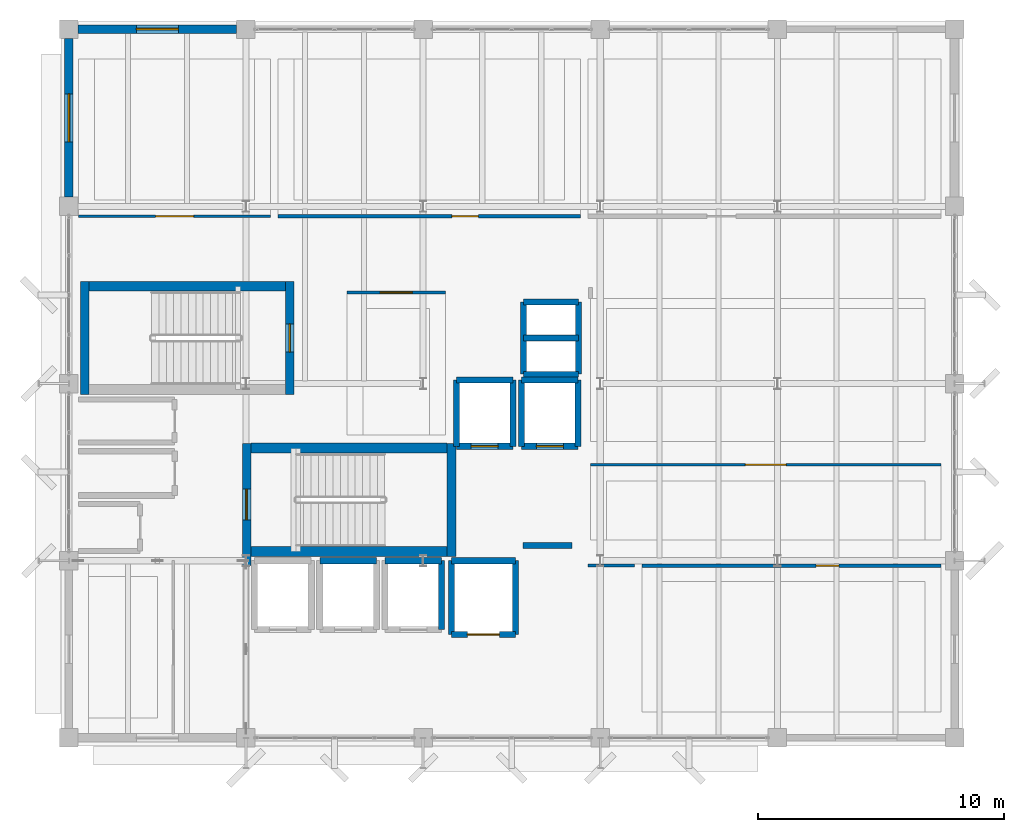
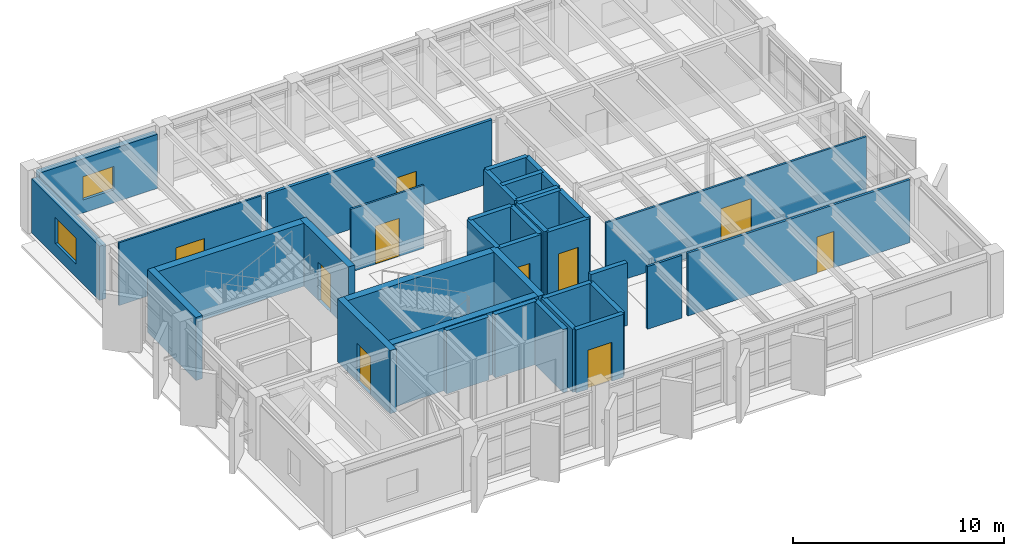
# One storey, part 17 of 24: 36 walls, 10 doors, 2 windows, 12 openings.
"""IFC4 building model written with IfcOpenShell, lengths in metres."""

from ifc_helpers import new_model, si_unit, direction, frame, frame_2d, origin, place, context, subcontext, project, spatial, rectangle, extrude, material, layer, layer_set, type_object, element, fill, save


model = new_model("IFC4")

# Units and contexts
model_context = context("Model", 3, precision=1e-05, world=origin(), true_north=direction((0.0, 1.0)))
body_context = subcontext(model_context, "Body", "Model", "MODEL_VIEW")
ifc_project = project(units=[si_unit("LENGTHUNIT", "METRE"), si_unit("AREAUNIT", "SQUARE_METRE"), si_unit("VOLUMEUNIT", "CUBIC_METRE"), si_unit("PLANEANGLEUNIT", "RADIAN"), si_unit("MASSUNIT", "GRAM", prefix="KILO")], contexts=[model_context])

# Site, building, storey
site_placement = place(None, origin())
site = spatial("IfcSite", under=ifc_project, at=site_placement, CompositionType="ELEMENT")
building_placement = place(site_placement, origin())
building = spatial("IfcBuilding", under=site, at=building_placement, Name="Kandorven Conservatory and Botanical Research Centre", CompositionType="ELEMENT")
storey_placement = place(building_placement, frame((0.0, 0.0, 24.89990234375)))
storey = spatial("IfcBuildingStorey", under=building, at=storey_placement, Name="L06", CompositionType="ELEMENT", Elevation=24.89990234375)

# Walls
ifc_material_1 = material(Name="Concrete C40/50 (M50)", Category="concrete")
ifc_layer_1 = layer(ifc_material_1, 0.39990234375)
ifc_layer_set_1 = layer_set([ifc_layer_1], Name="Concrete C40/50 (M50)")
wall_type_1 = type_object("IfcWallType", Name="Wall_CW-RC-1", PredefinedType="SHEAR", material=ifc_layer_set_1)
for number, where, z_axis, x_axis, name in (
    (1, (13.39990234375, 13.574951171875, 0.0), (0.0, 0.0, 1.0), (1.0, 0.0, 0.0), "Core stair shear wall CW-RC-1 ST-T1 L06 side A"),
    (2, (13.39990234375, 17.77490234375, 0.0), (0.0, 0.0, 1.0), (1.0, 0.0, 0.0), "Core stair shear wall CW-RC-1 ST-T1 L06 side B"),
    (3, (14.800048828125, 24.35498046875, 0.0), (0.0, 0.0, 1.0), (-1.0, 0.0, 0.0), "Core stair shear wall CW-RC-1 ST-T2 L06 side A"),
):
    element("IfcWall", number, at=place(storey_placement, frame(where, z_axis=z_axis, x_axis=x_axis)), inside=storey, type_object=wall_type_1, Name=name, PredefinedType="SHEAR", context=body_context, shape_type="SweptSolid", body=[
        extrude(rectangle(XDim=7.97998046875, YDim=0.39990234375, at=frame_2d((3.989990234375, 0.0))), origin(), (0.0, 0.0, 1.0), 3.650146484375),
    ])

# Wall, opening, door
ifc_material_2 = material(Name="Concrete C40/50 (M50)", Category="concrete")
ifc_layer_2 = layer(ifc_material_2, 0.35009765625)
ifc_layer_set_2 = layer_set([ifc_layer_2], Name="Concrete C40/50 (M50)")
wall_type_2 = type_object("IfcWallType", Name="Wall_CW-RC-2", PredefinedType="SHEAR", material=ifc_layer_set_2)
wall_1_placement = place(storey_placement, frame((13.22509765625, 13.0, 0.0), z_axis=(0.0, 0.0, 1.0), x_axis=(0.0, 1.0, 0.0)))
wall_1 = element("IfcWall", 4, at=wall_1_placement, inside=storey, type_object=wall_type_2, Name="Core stair shear wall CW-RC-2 ST-T1 L06 entry", PredefinedType="SHEAR", context=body_context, shape_type="SweptSolid", body=[
    extrude(rectangle(XDim=4.969970703125, YDim=0.35009765625, at=frame_2d((2.48486328125, 0.0))), origin(), (0.0, 0.0, 1.0), 3.650146484375),
])
opening_1_placement = place(wall_1_placement, frame((1.860107421875, 0.0, 0.0)))
opening_1 = element("IfcOpeningElement", 5, at=opening_1_placement, cuts=wall_1, Name="Opening FD-1", PredefinedType="OPENING", context=body_context, shape_type="SweptSolid", body=[
    extrude(rectangle(XDim=1.25, YDim=2.199951171875, at=frame_2d((0.625, 1.10009765625))), frame((0.0, 0.18505859375, 0.0), z_axis=(0.0, -1.0, 0.0), x_axis=(1.0, 0.0, 0.0)), (0.0, 0.0, 1.0), 0.3701171875),
])
ifc_material_3 = material(Name="Galvanised hollow steel fire door assembly", Category="steel")
door_type_1 = type_object("IfcDoorType", Name="Door_FD-1", OperationType="NOTDEFINED", PredefinedType="DOOR", material=ifc_material_3)
door_1_placement = place(opening_1_placement, origin())
door_1 = element("IfcDoor", 6, at=door_1_placement, inside=storey, type_object=door_type_1, Name="Exit stair fire door FD-1 ST-T1 L06", OperationType="SINGLE_SWING_LEFT", OverallHeight=2.199951171875, OverallWidth=1.25, PredefinedType="DOOR", context=body_context, shape_type="SweptSolid", body=[
    extrude(rectangle(XDim=1.25, YDim=2.199951171875, at=frame_2d((0.625, 1.10009765625))), frame((0.0, 0.02490234375, 0.0), z_axis=(0.0, -1.0, 0.0), x_axis=(1.0, 0.0, 0.0)), (0.0, 0.0, 1.0), 0.050048828125),
])
fill(opening_1, door_1)

# Wall
wall_2_placement = place(storey_placement, frame((21.554931640625, 13.3798828125, 0.0), z_axis=(0.0, 0.0, 1.0), x_axis=(0.0, 1.0, 0.0)))
element("IfcWall", 7, at=wall_2_placement, inside=storey, type_object=wall_type_2, Name="Core stair shear wall CW-RC-2 ST-T1 L06 far", PredefinedType="SHEAR", context=body_context, shape_type="SweptSolid", body=[
    extrude(rectangle(XDim=4.590087890625, YDim=0.35009765625, at=frame_2d((2.294921875, 0.0))), origin(), (0.0, 0.0, 1.0), 3.650146484375),
])

# Wall, opening, door
wall_3_placement = place(storey_placement, frame((14.97509765625, 24.550048828125, 0.0), z_axis=(0.0, 0.0, 1.0), x_axis=(0.0, -1.0, 0.0)))
wall_3 = element("IfcWall", 8, at=wall_3_placement, inside=storey, type_object=wall_type_2, Name="Core stair shear wall CW-RC-2 ST-T2 L06 entry", PredefinedType="SHEAR", context=body_context, shape_type="SweptSolid", body=[
    extrude(rectangle(XDim=4.590087890625, YDim=0.35009765625, at=frame_2d((2.294921875, 0.0))), origin(), (0.0, 0.0, 1.0), 3.650146484375),
])
opening_2_placement = place(wall_3_placement, frame((1.719970703125, 0.0, 0.0)))
opening_2 = element("IfcOpeningElement", 9, at=opening_2_placement, cuts=wall_3, Name="Opening FD-2", PredefinedType="OPENING", context=body_context, shape_type="SweptSolid", body=[
    extrude(rectangle(XDim=1.14990234375, YDim=2.199951171875, at=frame_2d((0.574951171875, 1.10009765625))), frame((0.0, 0.18505859375, 0.0), z_axis=(0.0, -1.0, 0.0), x_axis=(1.0, 0.0, 0.0)), (0.0, 0.0, 1.0), 0.3701171875),
])
ifc_material_4 = material(Name="Galvanised hollow steel fire door assembly", Category="steel")
door_type_2 = type_object("IfcDoorType", Name="Door_FD-2", OperationType="NOTDEFINED", PredefinedType="DOOR", material=ifc_material_4)
door_2_placement = place(opening_2_placement, origin())
door_2 = element("IfcDoor", 10, at=door_2_placement, inside=storey, type_object=door_type_2, Name="Exit stair fire door FD-2 ST-T2 L06", OperationType="SINGLE_SWING_LEFT", OverallHeight=2.199951171875, OverallWidth=1.14990234375, PredefinedType="DOOR", context=body_context, shape_type="SweptSolid", body=[
    extrude(rectangle(XDim=1.14990234375, YDim=2.199951171875, at=frame_2d((0.574951171875, 1.10009765625))), frame((0.0, 0.02490234375, 0.0), z_axis=(0.0, -1.0, 0.0), x_axis=(1.0, 0.0, 0.0)), (0.0, 0.0, 1.0), 0.050048828125),
])
fill(opening_2, door_2)

# Wall
wall_4_placement = place(storey_placement, frame((6.64501953125, 24.550048828125, 0.0), z_axis=(0.0, 0.0, 1.0), x_axis=(0.0, -1.0, 0.0)))
element("IfcWall", 11, at=wall_4_placement, inside=storey, type_object=wall_type_2, Name="Core stair shear wall CW-RC-2 ST-T2 L06 far", PredefinedType="SHEAR", context=body_context, shape_type="SweptSolid", body=[
    extrude(rectangle(XDim=4.590087890625, YDim=0.35009765625, at=frame_2d((2.294921875, 0.0))), origin(), (0.0, 0.0, 1.0), 3.650146484375),
])

# Wall, opening, door
wall_5_placement = place(storey_placement, frame((21.75, 17.85009765625, 0.0), z_axis=(0.0, 0.0, 1.0), x_axis=(1.0, 0.0, 0.0)))
wall_5 = element("IfcWall", 12, at=wall_5_placement, inside=storey, type_object=wall_type_2, Name="Lift shaft wall FFL-1 L06 S", PredefinedType="SHEAR", context=body_context, shape_type="SweptSolid", body=[
    extrude(rectangle(XDim=2.300048828125, YDim=0.25, at=frame_2d((1.14990234375, 0.0))), origin(), (0.0, 0.0, 1.0), 3.650146484375),
])
opening_3_placement = place(wall_5_placement, frame((0.60009765625, 0.0, 0.0)))
opening_3 = element("IfcOpeningElement", 13, at=opening_3_placement, cuts=wall_5, Name="Opening LD-01", PredefinedType="OPENING", context=body_context, shape_type="SweptSolid", body=[
    extrude(rectangle(XDim=1.10009765625, YDim=2.199951171875, at=frame_2d((0.550048828125, 1.10009765625))), frame((0.0, 0.135009765625, 0.0), z_axis=(0.0, -1.0, 0.0), x_axis=(1.0, 0.0, 0.0)), (0.0, 0.0, 1.0), 0.27001953125),
])
ifc_material_5 = material(Name="Anodised aluminium sliding landing door", Category="aluminium")
door_type_3 = type_object("IfcDoorType", Name="Door_LD-01", OperationType="DOUBLE_DOOR_SLIDING", PredefinedType="DOOR", material=ifc_material_5)
door_3_placement = place(opening_3_placement, origin())
door_3 = element("IfcDoor", 14, at=door_3_placement, inside=storey, type_object=door_type_3, Name="Lift landing sliding door LD-01 (FFL-1 L06)", OperationType="DOUBLE_DOOR_SLIDING", OverallHeight=2.199951171875, OverallWidth=1.10009765625, PredefinedType="DOOR", context=body_context, shape_type="SweptSolid", body=[
    extrude(rectangle(XDim=1.10009765625, YDim=2.199951171875, at=frame_2d((0.550048828125, 1.10009765625))), frame((0.0, 0.02490234375, 0.0), z_axis=(0.0, -1.0, 0.0), x_axis=(1.0, 0.0, 0.0)), (0.0, 0.0, 1.0), 0.050048828125),
])
fill(opening_3, door_3)

# Walls
wall_6_placement = place(storey_placement, frame((21.75, 20.550048828125, 0.0), z_axis=(0.0, 0.0, 1.0), x_axis=(1.0, 0.0, 0.0)))
element("IfcWall", 15, at=wall_6_placement, inside=storey, type_object=wall_type_2, Name="Lift shaft wall FFL-1 L06 N", PredefinedType="SHEAR", context=body_context, shape_type="SweptSolid", body=[
    extrude(rectangle(XDim=2.300048828125, YDim=0.25, at=frame_2d((1.14990234375, 0.0))), origin(), (0.0, 0.0, 1.0), 3.650146484375),
])
for number, where, z_axis, x_axis, name in (
    (16, (21.75, 17.85009765625, 0.0), (0.0, 0.0, 1.0), (0.0, 1.0, 0.0), "Lift shaft wall FFL-1 L06 W"),
    (17, (24.050048828125, 17.85009765625, 0.0), (0.0, 0.0, 1.0), (0.0, 1.0, 0.0), "Lift shaft wall FFL-1 L06 E"),
):
    element("IfcWall", number, at=place(storey_placement, frame(where, z_axis=z_axis, x_axis=x_axis)), inside=storey, type_object=wall_type_2, Name=name, PredefinedType="SHEAR", context=body_context, shape_type="SweptSolid", body=[
        extrude(rectangle(XDim=2.699951171875, YDim=0.25, at=frame_2d((1.35009765625, 0.0))), origin(), (0.0, 0.0, 1.0), 3.650146484375),
    ])

# Wall, opening, door
wall_7_placement = place(storey_placement, frame((24.39990234375, 17.85009765625, 0.0), z_axis=(0.0, 0.0, 1.0), x_axis=(1.0, 0.0, 0.0)))
wall_7 = element("IfcWall", 18, at=wall_7_placement, inside=storey, type_object=wall_type_2, Name="Lift shaft wall FFL-2 L06 S", PredefinedType="SHEAR", context=body_context, shape_type="SweptSolid", body=[
    extrude(rectangle(XDim=2.300048828125, YDim=0.25, at=frame_2d((1.14990234375, 0.0))), origin(), (0.0, 0.0, 1.0), 3.650146484375),
])
opening_4_placement = place(wall_7_placement, frame((0.60009765625, 0.0, 0.0)))
opening_4 = element("IfcOpeningElement", 19, at=opening_4_placement, cuts=wall_7, Name="Opening LD-01", PredefinedType="OPENING", context=body_context, shape_type="SweptSolid", body=[
    extrude(rectangle(XDim=1.10009765625, YDim=2.199951171875, at=frame_2d((0.550048828125, 1.10009765625))), frame((0.0, 0.135009765625, 0.0), z_axis=(0.0, -1.0, 0.0), x_axis=(1.0, 0.0, 0.0)), (0.0, 0.0, 1.0), 0.27001953125),
])
door_4_placement = place(opening_4_placement, origin())
door_4 = element("IfcDoor", 20, at=door_4_placement, inside=storey, type_object=door_type_3, Name="Lift landing sliding door LD-01 (FFL-2 L06)", OperationType="DOUBLE_DOOR_SLIDING", OverallHeight=2.199951171875, OverallWidth=1.10009765625, PredefinedType="DOOR", context=body_context, shape_type="SweptSolid", body=[
    extrude(rectangle(XDim=1.10009765625, YDim=2.199951171875, at=frame_2d((0.550048828125, 1.10009765625))), frame((0.0, 0.02490234375, 0.0), z_axis=(0.0, -1.0, 0.0), x_axis=(1.0, 0.0, 0.0)), (0.0, 0.0, 1.0), 0.050048828125),
])
fill(opening_4, door_4)

# Walls
wall_8_placement = place(storey_placement, frame((24.39990234375, 20.550048828125, 0.0), z_axis=(0.0, 0.0, 1.0), x_axis=(1.0, 0.0, 0.0)))
element("IfcWall", 21, at=wall_8_placement, inside=storey, type_object=wall_type_2, Name="Lift shaft wall FFL-2 L06 N", PredefinedType="SHEAR", context=body_context, shape_type="SweptSolid", body=[
    extrude(rectangle(XDim=2.300048828125, YDim=0.25, at=frame_2d((1.14990234375, 0.0))), origin(), (0.0, 0.0, 1.0), 3.650146484375),
])
for number, where, z_axis, x_axis, name in (
    (22, (24.39990234375, 17.85009765625, 0.0), (0.0, 0.0, 1.0), (0.0, 1.0, 0.0), "Lift shaft wall FFL-2 L06 W"),
    (23, (26.699951171875, 17.85009765625, 0.0), (0.0, 0.0, 1.0), (0.0, 1.0, 0.0), "Lift shaft wall FFL-2 L06 E"),
):
    element("IfcWall", number, at=place(storey_placement, frame(where, z_axis=z_axis, x_axis=x_axis)), inside=storey, type_object=wall_type_2, Name=name, PredefinedType="SHEAR", context=body_context, shape_type="SweptSolid", body=[
        extrude(rectangle(XDim=2.699951171875, YDim=0.25, at=frame_2d((1.35009765625, 0.0))), origin(), (0.0, 0.0, 1.0), 3.650146484375),
    ])
wall_9_placement = place(storey_placement, frame((16.199951171875, 13.199951171875, 0.0), z_axis=(0.0, 0.0, 1.0), x_axis=(1.0, 0.0, 0.0)))
element("IfcWall", 24, at=wall_9_placement, inside=storey, type_object=wall_type_2, Name="Lift shaft wall PL-2 L06 N", PredefinedType="SHEAR", context=body_context, shape_type="SweptSolid", body=[
    extrude(rectangle(XDim=2.300048828125, YDim=0.25, at=frame_2d((1.14990234375, 0.0))), origin(), (0.0, 0.0, 1.0), 3.650146484375),
])
wall_10_placement = place(storey_placement, frame((18.85009765625, 13.199951171875, 0.0), z_axis=(0.0, 0.0, 1.0), x_axis=(1.0, 0.0, 0.0)))
element("IfcWall", 25, at=wall_10_placement, inside=storey, type_object=wall_type_2, Name="Lift shaft wall PL-3 L06 N", PredefinedType="SHEAR", context=body_context, shape_type="SweptSolid", body=[
    extrude(rectangle(XDim=2.2998046875, YDim=0.25, at=frame_2d((1.14990234375, 0.0))), origin(), (0.0, 0.0, 1.0), 3.650146484375),
])
wall_11_placement = place(storey_placement, frame((21.14990234375, 10.39990234375, 0.0), z_axis=(0.0, 0.0, 1.0), x_axis=(0.0, 1.0, 0.0)))
element("IfcWall", 26, at=wall_11_placement, inside=storey, type_object=wall_type_2, Name="Lift shaft wall PL-3 L06 E", PredefinedType="SHEAR", context=body_context, shape_type="SweptSolid", body=[
    extrude(rectangle(XDim=2.800048828125, YDim=0.25, at=frame_2d((1.39990234375, 0.0))), origin(), (0.0, 0.0, 1.0), 3.650146484375),
])

# Wall, opening, door
wall_12_placement = place(storey_placement, frame((21.550048828125, 10.199951171875, 0.0), z_axis=(0.0, 0.0, 1.0), x_axis=(1.0, 0.0, 0.0)))
wall_12 = element("IfcWall", 27, at=wall_12_placement, inside=storey, type_object=wall_type_2, Name="Lift shaft wall GL-1 L06 S", PredefinedType="SHEAR", context=body_context, shape_type="SweptSolid", body=[
    extrude(rectangle(XDim=2.599853515625, YDim=0.25, at=frame_2d((1.2998046875, 0.0))), origin(), (0.0, 0.0, 1.0), 3.650146484375),
])
opening_5_placement = place(wall_12_placement, frame((0.64990234375, 0.0, 0.0)))
opening_5 = element("IfcOpeningElement", 28, at=opening_5_placement, cuts=wall_12, Name="Opening LD-02", PredefinedType="OPENING", context=body_context, shape_type="SweptSolid", body=[
    extrude(rectangle(XDim=1.300048828125, YDim=2.25, at=frame_2d((0.64990234375, 1.125))), frame((0.0, 0.135009765625, 0.0), z_axis=(0.0, -1.0, 0.0), x_axis=(1.0, 0.0, 0.0)), (0.0, 0.0, 1.0), 0.27001953125),
])
ifc_material_6 = material(Name="Anodised aluminium sliding landing door", Category="aluminium")
door_type_4 = type_object("IfcDoorType", Name="Door_LD-02", OperationType="DOUBLE_DOOR_SLIDING", PredefinedType="DOOR", material=ifc_material_6)
door_5_placement = place(opening_5_placement, origin())
door_5 = element("IfcDoor", 29, at=door_5_placement, inside=storey, type_object=door_type_4, Name="Lift landing sliding door LD-02 (GL-1 L06)", OperationType="DOUBLE_DOOR_SLIDING", OverallHeight=2.25, OverallWidth=1.300048828125, PredefinedType="DOOR", context=body_context, shape_type="SweptSolid", body=[
    extrude(rectangle(XDim=1.300048828125, YDim=2.25, at=frame_2d((0.64990234375, 1.125))), frame((0.0, 0.02490234375, 0.0), z_axis=(0.0, -1.0, 0.0), x_axis=(1.0, 0.0, 0.0)), (0.0, 0.0, 1.0), 0.050048828125),
])
fill(opening_5, door_5)

# Walls
wall_13_placement = place(storey_placement, frame((21.550048828125, 13.199951171875, 0.0), z_axis=(0.0, 0.0, 1.0), x_axis=(1.0, 0.0, 0.0)))
element("IfcWall", 30, at=wall_13_placement, inside=storey, type_object=wall_type_2, Name="Lift shaft wall GL-1 L06 N", PredefinedType="SHEAR", context=body_context, shape_type="SweptSolid", body=[
    extrude(rectangle(XDim=2.599853515625, YDim=0.25, at=frame_2d((1.2998046875, 0.0))), origin(), (0.0, 0.0, 1.0), 3.650146484375),
])
for number, where, z_axis, x_axis, name in (
    (31, (21.550048828125, 10.199951171875, 0.0), (0.0, 0.0, 1.0), (0.0, 1.0, 0.0), "Lift shaft wall GL-1 L06 W"),
    (32, (24.14990234375, 10.199951171875, 0.0), (0.0, 0.0, 1.0), (0.0, 1.0, 0.0), "Lift shaft wall GL-1 L06 E"),
):
    element("IfcWall", number, at=place(storey_placement, frame(where, z_axis=z_axis, x_axis=x_axis)), inside=storey, type_object=wall_type_2, Name=name, PredefinedType="SHEAR", context=body_context, shape_type="SweptSolid", body=[
        extrude(rectangle(XDim=3.0, YDim=0.25, at=frame_2d((1.5, 0.0))), origin(), (0.0, 0.0, 1.0), 3.650146484375),
    ])
for number, where, z_axis, x_axis, name in (
    (33, (24.47998046875, 20.780029296875, 0.0), (0.0, 0.0, 1.0), (1.0, 0.0, 0.0), "Core MEP riser shaft wall CW-RC-2 L06 S"),
    (34, (24.47998046875, 22.25, 0.0), (0.0, 0.0, 1.0), (1.0, 0.0, 0.0), "Core MEP riser shaft wall CW-RC-2 L06 M"),
    (35, (24.47998046875, 23.719970703125, 0.0), (0.0, 0.0, 1.0), (1.0, 0.0, 0.0), "Core MEP riser shaft wall CW-RC-2 L06 N"),
):
    element("IfcWall", number, at=place(storey_placement, frame(where, z_axis=z_axis, x_axis=x_axis)), inside=storey, type_object=wall_type_2, Name=name, PredefinedType="SHEAR", context=body_context, shape_type="SweptSolid", body=[
        extrude(rectangle(XDim=2.239990234375, YDim=0.239990234375, at=frame_2d((1.1201171875, 0.0))), origin(), (0.0, 0.0, 1.0), 3.650146484375),
    ])
for number, where, z_axis, x_axis, name in (
    (36, (24.47998046875, 20.780029296875, 0.0), (0.0, 0.0, 1.0), (0.0, 1.0, 0.0), "Core MEP riser shaft wall CW-RC-2 L06 W"),
    (37, (26.719970703125, 20.780029296875, 0.0), (0.0, 0.0, 1.0), (0.0, 1.0, 0.0), "Core MEP riser shaft wall CW-RC-2 L06 E"),
):
    element("IfcWall", number, at=place(storey_placement, frame(where, z_axis=z_axis, x_axis=x_axis)), inside=storey, type_object=wall_type_2, Name=name, PredefinedType="SHEAR", context=body_context, shape_type="SweptSolid", body=[
        extrude(rectangle(XDim=2.93994140625, YDim=0.239990234375, at=frame_2d((1.469970703125, 0.0))), origin(), (0.0, 0.0, 1.0), 3.650146484375),
    ])

# Wall, opening, window
ifc_material_7 = material(Name="Concrete C40/50 (M50)", Category="concrete")
ifc_layer_3 = layer(ifc_material_7, 0.360107421875)
ifc_layer_set_3 = layer_set([ifc_layer_3], Name="Concrete C40/50 (M50)")
wall_type_3 = type_object("IfcWallType", Name="Wall_EW-01", PredefinedType="STANDARD", material=ifc_layer_set_3)
wall_14_placement = place(storey_placement, frame((6.0, 27.97509765625, 0.0), z_axis=(0.0, 0.0, 1.0), x_axis=(0.0, 1.0, 0.0)))
wall_14 = element("IfcWall", 38, at=wall_14_placement, inside=storey, type_object=wall_type_3, Name="Tower concrete facade wall EW-01 W L06", PredefinedType="STANDARD", context=body_context, shape_type="SweptSolid", body=[
    extrude(rectangle(XDim=6.449951171875, YDim=0.360107421875, at=frame_2d((3.22509765625, 0.0))), origin(), (0.0, 0.0, 1.0), 3.130126953125),
])
opening_6_placement = place(wall_14_placement, frame((2.25, 0.0, 0.75)))
opening_6 = element("IfcOpeningElement", 39, at=opening_6_placement, cuts=wall_14, Name="Opening W-42", PredefinedType="OPENING", context=body_context, shape_type="SweptSolid", body=[
    extrude(rectangle(XDim=1.949951171875, YDim=1.5, at=frame_2d((0.97509765625, 0.75))), frame((0.0, 0.18994140625, 0.0), z_axis=(0.0, -1.0, 0.0), x_axis=(1.0, 0.0, 0.0)), (0.0, 0.0, 1.0), 0.380126953125),
])
ifc_material_8 = material(Name="Double-glazed solar-control low-E glass", Category="glass")
window_type_1 = type_object("IfcWindowType", Name="Win_W-42", PartitioningType="DOUBLE_PANEL_VERTICAL", PredefinedType="WINDOW", material=ifc_material_8)
window_1_placement = place(opening_6_placement, origin())
window_1 = element("IfcWindow", 40, at=window_1_placement, inside=storey, type_object=window_type_1, Name="Tower recessed solar window W-42", OverallHeight=1.5, OverallWidth=1.949951171875, PartitioningType="SINGLE_PANEL", PredefinedType="WINDOW", context=body_context, shape_type="SweptSolid", body=[
    extrude(rectangle(XDim=1.949951171875, YDim=1.5, at=frame_2d((0.97509765625, 0.75))), frame((0.0, 0.030029296875, 0.0), z_axis=(0.0, -1.0, 0.0), x_axis=(1.0, 0.0, 0.0)), (0.0, 0.0, 1.0), 0.06005859375),
])
fill(opening_6, window_1)

ifc_material_9 = material(Name="Concrete C32/40 (M40)", Category="concrete")
ifc_layer_4 = layer(ifc_material_9, 0.340087890625)
ifc_layer_set_4 = layer_set([ifc_layer_4], Name="Concrete C32/40 (M40)")
wall_type_4 = type_object("IfcWallType", Name="Wall_EW-02", PredefinedType="STANDARD", material=ifc_layer_set_4)
wall_15_placement = place(storey_placement, frame((6.375, 34.800048828125, 0.0), z_axis=(0.0, 0.0, 1.0), x_axis=(1.0, 0.0, 0.0)))
wall_15 = element("IfcWall", 41, at=wall_15_placement, inside=storey, type_object=wall_type_4, Name="Tower concrete facade wall EW-02 N L06", PredefinedType="STANDARD", context=body_context, shape_type="SweptSolid", body=[
    extrude(rectangle(XDim=6.449951171875, YDim=0.340087890625, at=frame_2d((3.22509765625, 0.0))), origin(), (0.0, 0.0, 1.0), 3.130126953125),
])
opening_7_placement = place(wall_15_placement, frame((2.375, 0.0, 0.75)))
opening_7 = element("IfcOpeningElement", 42, at=opening_7_placement, cuts=wall_15, Name="Opening W-34", PredefinedType="OPENING", context=body_context, shape_type="SweptSolid", body=[
    extrude(rectangle(XDim=1.699951171875, YDim=1.35009765625, at=frame_2d((0.85009765625, 0.675048828125))), frame((0.0, 0.179931640625, 0.0), z_axis=(0.0, -1.0, 0.0), x_axis=(1.0, 0.0, 0.0)), (0.0, 0.0, 1.0), 0.360107421875),
])
ifc_material_10 = material(Name="Double-glazed solar-control low-E glass", Category="glass")
window_type_2 = type_object("IfcWindowType", Name="Win_W-34", PartitioningType="DOUBLE_PANEL_VERTICAL", PredefinedType="WINDOW", material=ifc_material_10)
window_2_placement = place(opening_7_placement, origin())
window_2 = element("IfcWindow", 43, at=window_2_placement, inside=storey, type_object=window_type_2, Name="Tower recessed solar window W-34", OverallHeight=1.35009765625, OverallWidth=1.699951171875, PartitioningType="SINGLE_PANEL", PredefinedType="WINDOW", context=body_context, shape_type="SweptSolid", body=[
    extrude(rectangle(XDim=1.699951171875, YDim=1.35009765625, at=frame_2d((0.85009765625, 0.675048828125))), frame((0.0, 0.030029296875, 0.0), z_axis=(0.0, -1.0, 0.0), x_axis=(1.0, 0.0, 0.0)), (0.0, 0.0, 1.0), 0.06005859375),
])
fill(opening_7, window_2)

# Wall, opening, door
ifc_material_11 = material(Name="Fire-rated acoustic gypsum board partition", Category="gypsum")
ifc_layer_5 = layer(ifc_material_11, 0.110107421875)
ifc_layer_set_5 = layer_set([ifc_layer_5], Name="Fire-rated acoustic gypsum board partition")
wall_type_5 = type_object("IfcWallType", Name="Wall_IW-09", PredefinedType="PARTITIONING", material=ifc_layer_set_5)
wall_16_placement = place(storey_placement, frame((17.300048828125, 24.10009765625, 0.0), z_axis=(0.0, 0.0, 1.0), x_axis=(1.0, 0.0, 0.0)))
wall_16 = element("IfcWall", 44, at=wall_16_placement, inside=storey, type_object=wall_type_5, Name="Interior partition wall IW-09 (Botanical Specimen Preparation Laboratory L06)", PredefinedType="PARTITIONING", context=body_context, shape_type="SweptSolid", body=[
    extrude(rectangle(XDim=4.0, YDim=0.110107421875, at=frame_2d((2.0, 0.0))), origin(), (0.0, 0.0, 1.0), 3.630126953125),
])
opening_8_placement = place(wall_16_placement, frame((1.35009765625, 0.0, 0.0)))
opening_8 = element("IfcOpeningElement", 45, at=opening_8_placement, cuts=wall_16, Name="Opening D-06", PredefinedType="OPENING", context=body_context, shape_type="SweptSolid", body=[
    extrude(rectangle(XDim=1.300048828125, YDim=2.199951171875, at=frame_2d((0.64990234375, 1.10009765625))), frame((0.0, 0.06494140625, 0.0), z_axis=(0.0, -1.0, 0.0), x_axis=(1.0, 0.0, 0.0)), (0.0, 0.0, 1.0), 0.130126953125),
])
ifc_material_12 = material(Name="Solid core acoustic teak-veneered timber leaf", Category="wood")
door_type_5 = type_object("IfcDoorType", Name="Door_D-06", OperationType="NOTDEFINED", PredefinedType="DOOR", material=ifc_material_12)
door_6_placement = place(opening_8_placement, frame((1.300048828125, 0.0, 0.0), z_axis=(0.0, 0.0, 1.0), x_axis=(-1.0, 0.0, 0.0)))
door_6 = element("IfcDoor", 46, at=door_6_placement, inside=storey, type_object=door_type_5, Name="Interior door D-06 to Botanical Specimen Preparation Laboratory L06", OperationType="SINGLE_SWING_RIGHT", OverallHeight=2.199951171875, OverallWidth=1.300048828125, PredefinedType="DOOR", context=body_context, shape_type="SweptSolid", body=[
    extrude(rectangle(XDim=1.300048828125, YDim=2.199951171875, at=frame_2d((0.64990234375, 1.10009765625))), frame((0.0, 0.02490234375, 0.0), z_axis=(0.0, -1.0, 0.0), x_axis=(1.0, 0.0, 0.0)), (0.0, 0.0, 1.0), 0.050048828125),
])
fill(opening_8, door_6)

ifc_material_13 = material(Name="Fire-rated acoustic gypsum board partition", Category="gypsum")
ifc_layer_6 = layer(ifc_material_13, 0.10595703125)
ifc_layer_set_6 = layer_set([ifc_layer_6], Name="Fire-rated acoustic gypsum board partition")
wall_type_6 = type_object("IfcWallType", Name="Wall_IW-11", PredefinedType="PARTITIONING", material=ifc_layer_set_6)
wall_17_placement = place(storey_placement, frame((6.39990234375, 27.199951171875, 0.0), z_axis=(0.0, 0.0, 1.0), x_axis=(1.0, 0.0, 0.0)))
wall_17 = element("IfcWall", 47, at=wall_17_placement, inside=storey, type_object=wall_type_6, Name="Interior partition wall IW-11 (Ethnobotany Field Specimen Studio L06)", PredefinedType="PARTITIONING", context=body_context, shape_type="SweptSolid", body=[
    extrude(rectangle(XDim=7.800048828125, YDim=0.10595703125, at=frame_2d((3.89990234375, 0.0))), origin(), (0.0, 0.0, 1.0), 3.630126953125),
])
opening_9_placement = place(wall_17_placement, frame((3.125, 0.0, 0.0)))
opening_9 = element("IfcOpeningElement", 48, at=opening_9_placement, cuts=wall_17, Name="Opening D-08", PredefinedType="OPENING", context=body_context, shape_type="SweptSolid", body=[
    extrude(rectangle(XDim=1.550048828125, YDim=2.25, at=frame_2d((0.77490234375, 1.125))), frame((0.0, 0.06298828125, 0.0), z_axis=(0.0, -1.0, 0.0), x_axis=(1.0, 0.0, 0.0)), (0.0, 0.0, 1.0), 0.1259765625),
])
ifc_material_14 = material(Name="Solid core acoustic teak-veneered timber leaf", Category="wood")
door_type_6 = type_object("IfcDoorType", Name="Door_D-08", OperationType="NOTDEFINED", PredefinedType="DOOR", material=ifc_material_14)
door_7_placement = place(opening_9_placement, origin())
door_7 = element("IfcDoor", 49, at=door_7_placement, inside=storey, type_object=door_type_6, Name="Interior door D-08 to Ethnobotany Field Specimen Studio L06", OperationType="DOUBLE_DOOR_SINGLE_SWING", OverallHeight=2.25, OverallWidth=1.550048828125, PredefinedType="DOOR", context=body_context, shape_type="SweptSolid", body=[
    extrude(rectangle(XDim=1.550048828125, YDim=2.25, at=frame_2d((0.77490234375, 1.125))), frame((0.0, 0.02490234375, 0.0), z_axis=(0.0, -1.0, 0.0), x_axis=(1.0, 0.0, 0.0)), (0.0, 0.0, 1.0), 0.050048828125),
])
fill(opening_9, door_7)

ifc_material_15 = material(Name="Fire-rated acoustic gypsum board partition", Category="gypsum")
ifc_layer_7 = layer(ifc_material_15, 0.114013671875)
ifc_layer_set_7 = layer_set([ifc_layer_7], Name="Fire-rated acoustic gypsum board partition")
wall_type_7 = type_object("IfcWallType", Name="Wall_IW-12", PredefinedType="PARTITIONING", material=ifc_layer_set_7)
wall_18_placement = place(storey_placement, frame((27.199951171875, 17.10009765625, 0.0), z_axis=(0.0, 0.0, 1.0), x_axis=(1.0, 0.0, 0.0)))
wall_18 = element("IfcWall", 50, at=wall_18_placement, inside=storey, type_object=wall_type_7, Name="Interior partition wall IW-12 (Plant Pathology Research Laboratory L06)", PredefinedType="PARTITIONING", context=body_context, shape_type="SweptSolid", body=[
    extrude(rectangle(XDim=14.25, YDim=0.114013671875, at=frame_2d((7.125, 0.0))), origin(), (0.0, 0.0, 1.0), 3.630126953125),
])
opening_10_placement = place(wall_18_placement, frame((6.300048828125, 0.0, 0.0)))
opening_10 = element("IfcOpeningElement", 51, at=opening_10_placement, cuts=wall_18, Name="Opening D-09", PredefinedType="OPENING", context=body_context, shape_type="SweptSolid", body=[
    extrude(rectangle(XDim=1.64990234375, YDim=2.25, at=frame_2d((0.824951171875, 1.125))), frame((0.0, 0.06689453125, 0.0), z_axis=(0.0, -1.0, 0.0), x_axis=(1.0, 0.0, 0.0)), (0.0, 0.0, 1.0), 0.134033203125),
])
ifc_material_16 = material(Name="Solid core acoustic teak-veneered timber leaf", Category="wood")
door_type_7 = type_object("IfcDoorType", Name="Door_D-09", OperationType="NOTDEFINED", PredefinedType="DOOR", material=ifc_material_16)
door_8_placement = place(opening_10_placement, frame((1.64990234375, 0.0, 0.0), z_axis=(0.0, 0.0, 1.0), x_axis=(-1.0, 0.0, 0.0)))
door_8 = element("IfcDoor", 52, at=door_8_placement, inside=storey, type_object=door_type_7, Name="Interior door D-09 to Plant Pathology Research Laboratory L06", OperationType="DOUBLE_DOOR_SINGLE_SWING", OverallHeight=2.25, OverallWidth=1.64990234375, PredefinedType="DOOR", context=body_context, shape_type="SweptSolid", body=[
    extrude(rectangle(XDim=1.64990234375, YDim=2.25, at=frame_2d((0.824951171875, 1.125))), frame((0.0, 0.02490234375, 0.0), z_axis=(0.0, -1.0, 0.0), x_axis=(1.0, 0.0, 0.0)), (0.0, 0.0, 1.0), 0.050048828125),
])
fill(opening_10, door_8)

# Wall
ifc_material_17 = material(Name="Fire-rated acoustic gypsum board partition", Category="gypsum")
ifc_layer_8 = layer(ifc_material_17, 0.1259765625)
ifc_layer_set_8 = layer_set([ifc_layer_8], Name="Fire-rated acoustic gypsum board partition")
wall_type_8 = type_object("IfcWallType", Name="Wall_IW-13", PredefinedType="PARTITIONING", material=ifc_layer_set_8)
wall_19_placement = place(storey_placement, frame((27.10009765625, 13.0, 0.0), z_axis=(0.0, 0.0, 1.0), x_axis=(1.0, 0.0, 0.0)))
element("IfcWall", 53, at=wall_19_placement, inside=storey, type_object=wall_type_8, Name="Interior partition wall IW-13 (Phytochemistry Research Laboratory L06)", PredefinedType="PARTITIONING", context=body_context, shape_type="SweptSolid", body=[
    extrude(rectangle(XDim=1.89990234375, YDim=0.1259765625, at=frame_2d((0.949951171875, 0.0))), origin(), (0.0, 0.0, 1.0), 3.630126953125),
])

# Wall, opening, door
ifc_material_18 = material(Name="Fire-rated acoustic gypsum board partition", Category="gypsum")
ifc_layer_9 = layer(ifc_material_18, 0.135986328125)
ifc_layer_set_9 = layer_set([ifc_layer_9], Name="Fire-rated acoustic gypsum board partition")
wall_type_9 = type_object("IfcWallType", Name="Wall_IW-14", PredefinedType="PARTITIONING", material=ifc_layer_set_9)
wall_20_placement = place(storey_placement, frame((29.300048828125, 13.0, 0.0), z_axis=(0.0, 0.0, 1.0), x_axis=(1.0, 0.0, 0.0)))
wall_20 = element("IfcWall", 54, at=wall_20_placement, inside=storey, type_object=wall_type_9, Name="Interior partition wall IW-14 (Seed Biology Research Laboratory L06)", PredefinedType="PARTITIONING", context=body_context, shape_type="SweptSolid", body=[
    extrude(rectangle(XDim=12.14990234375, YDim=0.135986328125, at=frame_2d((6.074951171875, 0.0))), origin(), (0.0, 0.0, 1.0), 3.630126953125),
])
opening_11_placement = place(wall_20_placement, frame((7.074462890625, 0.0, 0.0)))
opening_11 = element("IfcOpeningElement", 55, at=opening_11_placement, cuts=wall_20, Name="Opening D-11", PredefinedType="OPENING", context=body_context, shape_type="SweptSolid", body=[
    extrude(rectangle(XDim=0.919921875, YDim=2.10009765625, at=frame_2d((0.4599609375, 1.050048828125))), frame((0.0, 0.077880859375, 0.0), z_axis=(0.0, -1.0, 0.0), x_axis=(1.0, 0.0, 0.0)), (0.0, 0.0, 1.0), 0.156005859375),
])
ifc_material_19 = material(Name="Solid core acoustic teak-veneered timber leaf", Category="wood")
door_type_8 = type_object("IfcDoorType", Name="Door_D-11", OperationType="NOTDEFINED", PredefinedType="DOOR", material=ifc_material_19)
door_9_placement = place(opening_11_placement, origin())
door_9 = element("IfcDoor", 56, at=door_9_placement, inside=storey, type_object=door_type_8, Name="Interior door D-11 to Seed Biology Research Laboratory L06", OperationType="SINGLE_SWING_LEFT", OverallHeight=2.10009765625, OverallWidth=0.919921875, PredefinedType="DOOR", context=body_context, shape_type="SweptSolid", body=[
    extrude(rectangle(XDim=0.919921875, YDim=2.10009765625, at=frame_2d((0.4599609375, 1.050048828125))), frame((0.0, 0.02490234375, 0.0), z_axis=(0.0, -1.0, 0.0), x_axis=(1.0, 0.0, 0.0)), (0.0, 0.0, 1.0), 0.050048828125),
])
fill(opening_11, door_9)

ifc_material_20 = material(Name="Autoclaved aerated concrete blockwork masonry", Category="masonry")
ifc_layer_10 = layer(ifc_material_20, 0.157958984375)
ifc_layer_set_10 = layer_set([ifc_layer_10], Name="Autoclaved aerated concrete blockwork masonry")
wall_type_10 = type_object("IfcWallType", Name="Wall_IW-16", PredefinedType="PARTITIONING", material=ifc_layer_set_10)
wall_21_placement = place(storey_placement, frame((14.5, 27.199951171875, 0.0), z_axis=(0.0, 0.0, 1.0), x_axis=(1.0, 0.0, 0.0)))
wall_21 = element("IfcWall", 57, at=wall_21_placement, inside=storey, type_object=wall_type_10, Name="Interior partition wall IW-16 (Genomics and Bioinformatics Laboratory L06)", PredefinedType="PARTITIONING", context=body_context, shape_type="SweptSolid", body=[
    extrude(rectangle(XDim=12.300048828125, YDim=0.157958984375, at=frame_2d((6.14990234375, 0.0))), origin(), (0.0, 0.0, 1.0), 3.630126953125),
])
opening_12_placement = place(wall_21_placement, frame((7.068115234375, 0.0, 0.0)))
opening_12 = element("IfcOpeningElement", 58, at=opening_12_placement, cuts=wall_21, Name="Opening D-13", PredefinedType="OPENING", context=body_context, shape_type="SweptSolid", body=[
    extrude(rectangle(XDim=1.080078125, YDim=2.10009765625, at=frame_2d((0.5400390625, 1.050048828125))), frame((0.0, 0.0888671875, 0.0), z_axis=(0.0, -1.0, 0.0), x_axis=(1.0, 0.0, 0.0)), (0.0, 0.0, 1.0), 0.177978515625),
])
ifc_material_21 = material(Name="Solid core acoustic teak-veneered timber leaf", Category="wood")
door_type_9 = type_object("IfcDoorType", Name="Door_D-13", OperationType="NOTDEFINED", PredefinedType="DOOR", material=ifc_material_21)
door_10_placement = place(opening_12_placement, origin())
door_10 = element("IfcDoor", 59, at=door_10_placement, inside=storey, type_object=door_type_9, Name="Interior door D-13 to Genomics and Bioinformatics Laboratory L06", OperationType="SINGLE_SWING_LEFT", OverallHeight=2.10009765625, OverallWidth=1.080078125, PredefinedType="DOOR", context=body_context, shape_type="SweptSolid", body=[
    extrude(rectangle(XDim=1.080078125, YDim=2.10009765625, at=frame_2d((0.5400390625, 1.050048828125))), frame((0.0, 0.02490234375, 0.0), z_axis=(0.0, -1.0, 0.0), x_axis=(1.0, 0.0, 0.0)), (0.0, 0.0, 1.0), 0.050048828125),
])
fill(opening_12, door_10)

# Wall
ifc_material_22 = material(Name="Concrete C32/40 (M40)", Category="concrete")
ifc_layer_11 = layer(ifc_material_22, 0.25)
ifc_layer_set_11 = layer_set([ifc_layer_11], Name="Concrete C32/40 (M40)")
wall_type_11 = type_object("IfcWallType", Name="Wall_IW-FR-1", PredefinedType="SOLIDWALL", material=ifc_layer_set_11)
wall_22_placement = place(storey_placement, frame((24.449951171875, 13.820068359375, 0.0), z_axis=(0.0, 0.0, 1.0), x_axis=(1.0, 0.0, 0.0)))
element("IfcWall", 60, at=wall_22_placement, inside=storey, type_object=wall_type_11, Name="Interior fire partition wall IW-FR-1 (Firefighting Lift Lobby L06)", PredefinedType="SOLIDWALL", context=body_context, shape_type="SweptSolid", body=[
    extrude(rectangle(XDim=2.0, YDim=0.25, at=frame_2d((1.0, 0.0))), origin(), (0.0, 0.0, 1.0), 3.630126953125),
])

save(model, "model.ifc")
